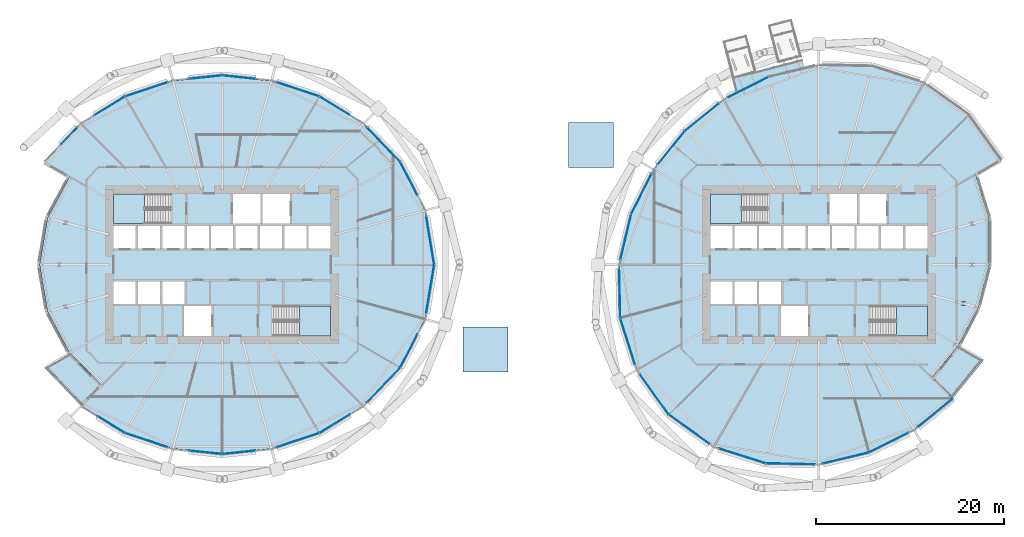
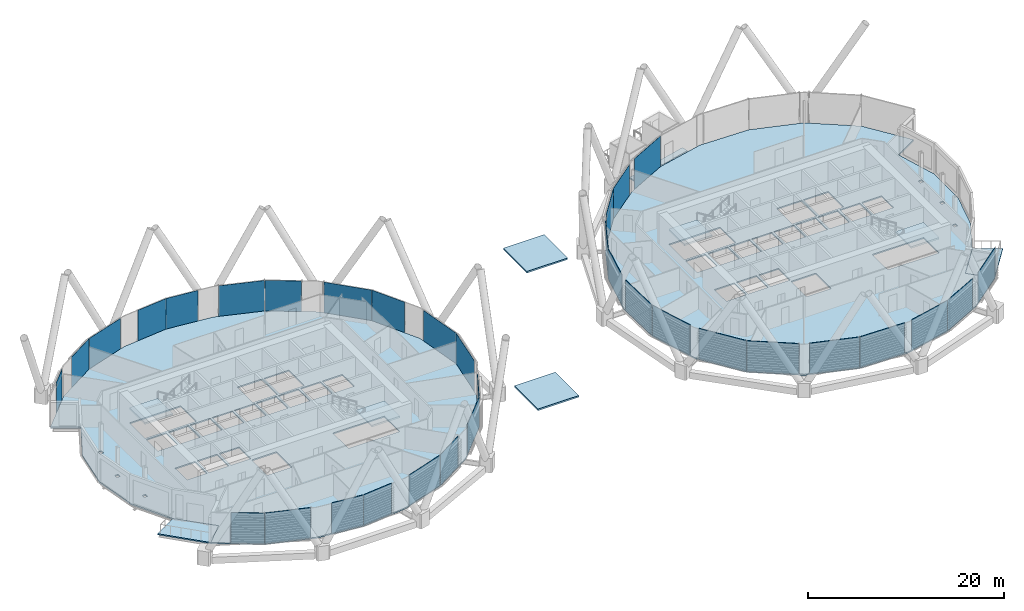
# One storey, part 20 of 34: 33 plates, 11 slabs, 6 elements without a shape of their own.
"""IFC4 building model written with IfcOpenShell, lengths in metres."""

from ifc_helpers import new_model, si_unit, direction, frame, origin, origin_2d, place, context, subcontext, project, spatial, polyline, rectangle, outline, extrude, material, layer, layer_set, type_object, element, aggregate, save


model = new_model("IFC4")

# Units and contexts
model_context = context("Model", 3, precision=1e-05, world=origin(), true_north=direction((0.0, 1.0)))
body_context = subcontext(model_context, "Body", "Model", "MODEL_VIEW")
ifc_project = project(units=[si_unit("LENGTHUNIT", "METRE"), si_unit("AREAUNIT", "SQUARE_METRE"), si_unit("VOLUMEUNIT", "CUBIC_METRE"), si_unit("PLANEANGLEUNIT", "RADIAN"), si_unit("MASSUNIT", "GRAM", prefix="KILO")], contexts=[model_context])

# Site, building, storey
site_placement = place(None, origin())
site = spatial("IfcSite", under=ifc_project, at=site_placement, CompositionType="ELEMENT")
building_placement = place(site_placement, origin())
building = spatial("IfcBuilding", under=site, at=building_placement, Name="Rimbun Link Towers", CompositionType="ELEMENT")
storey_placement = place(building_placement, frame((0.0, 0.0, 41.39990234375)))
storey = spatial("IfcBuildingStorey", under=building, at=storey_placement, Name="L09", CompositionType="ELEMENT", Elevation=41.39990234375)

# Slabs
ifc_material_1 = material(Name="Insulated metal floor panel on steel frame", Category="steel")
ifc_layer_1 = layer(ifc_material_1, 0.159912109375)
ifc_layer_set_1 = layer_set([ifc_layer_1], Name="CAPSULE balcony panel 160")
slab_type_1 = type_object("IfcSlabType", Name="CAPSULE balcony panel 160", PredefinedType="FLOOR", material=ifc_layer_set_1)
slab_1_placement = place(storey_placement, frame((0.0, 0.0, -0.159912109375)))
element("IfcSlab", 1, at=slab_1_placement, inside=storey, type_object=slab_type_1, Name="CAPSULE D092 gallery floor", PredefinedType="FLOOR", context=body_context, shape_type="SweptSolid", body=[
    extrude(outline(polyline([(28.158447265625, 20.527099609375), (30.16650390625, 21.00732421875), (29.969482421875, 21.760009765625), (22.634765625, 19.839111328125), (23.007568359375, 18.415771484375), (26.351806640625, 20.094970703125), (26.758056640625, 20.192138671875), (26.769775390625, 20.1435546875), (28.170166015625, 20.478515625), (28.158447265625, 20.527099609375)])), origin(), (0.0, 0.0, 1.0), 0.159912109375),
])
ifc_material_2 = material(Name="Concrete C35/45", Category="concrete")
ifc_layer_2 = layer(ifc_material_2, 0.159912109375)
ifc_layer_set_2 = layer_set([ifc_layer_2], Name="COMPOSITE FLOOR 160")
slab_type_2 = type_object("IfcSlabType", Name="COMPOSITE FLOOR 160", PredefinedType="FLOOR", material=ifc_layer_set_2)
slab_2_placement = place(storey_placement, frame((0.0, 0.0, -0.159912109375)))
element("IfcSlab", 2, at=slab_2_placement, inside=storey, type_object=slab_type_2, Name="Floor slab T1 L09", PredefinedType="FLOOR", context=body_context, shape_type="SweptSolid", body=[
    extrude(outline(polyline([(-46.76318359375, 15.01318359375), (-42.07861328125, 17.8896484375), (-36.994873046875, 19.57421875), (-31.75, 20.126708984375), (-26.505126953125, 19.57421875), (-21.42138671875, 17.8896484375), (-16.73681640625, 15.01318359375), (-12.82080078125, 10.9287109375), (-10.159423828125, 5.78515625), (-9.208251953125, 0.0), (-10.159423828125, -5.78515625), (-12.82080078125, -10.9287109375), (-16.73681640625, -15.01318359375), (-21.42138671875, -17.8896484375), (-26.505126953125, -19.57421875), (-31.75, -20.126708984375), (-36.994873046875, -19.57421875), (-42.07861328125, -17.8896484375), (-46.76318359375, -15.01318359375), (-44.5712890625, -12.8212890625), (-47.994384765625, -9.378662109375), (-50.34619140625, -4.98291015625), (-51.19189453125, 0.0), (-50.34619140625, 4.98291015625), (-47.994384765625, 9.378662109375), (-50.67919921875, 10.9287109375), (-46.76318359375, 15.01318359375)]), holes=[polyline([(-48.23876953125, -4.66845703125), (-48.23876953125, -4.27490234375), (-48.6376953125, -4.27490234375), (-48.6376953125, -4.66845703125), (-48.23876953125, -4.66845703125)]), polyline([(-40.95556640625, -4.14990234375), (-40.95556640625, -1.75), (-43.300048828125, -1.75), (-43.300048828125, -4.14990234375), (-40.95556640625, -4.14990234375)]), polyline([(-38.361083984375, -4.14990234375), (-38.361083984375, -1.75), (-40.70556640625, -1.75), (-40.70556640625, -4.14990234375), (-38.361083984375, -4.14990234375)]), polyline([(-38.111083984375, -4.14990234375), (-35.7666015625, -4.14990234375), (-35.7666015625, -1.75), (-38.111083984375, -1.75), (-38.111083984375, -4.14990234375)]), polyline([(-49.288330078125, -0.19677734375), (-48.889404296875, -0.19677734375), (-48.889404296875, 0.19677734375), (-49.288330078125, 0.19677734375), (-49.288330078125, -0.19677734375)]), polyline([(-40.95556640625, 1.75), (-40.95556640625, 4.14990234375), (-43.300048828125, 4.14990234375), (-43.300048828125, 1.75), (-40.95556640625, 1.75)]), polyline([(-38.361083984375, 1.75), (-38.361083984375, 4.14990234375), (-40.70556640625, 4.14990234375), (-40.70556640625, 1.75), (-38.361083984375, 1.75)]), polyline([(-35.7666015625, 1.75), (-35.7666015625, 4.14990234375), (-38.111083984375, 4.14990234375), (-38.111083984375, 1.75), (-35.7666015625, 1.75)]), polyline([(-48.6376953125, 4.27490234375), (-48.23876953125, 4.27490234375), (-48.23876953125, 4.66845703125), (-48.6376953125, 4.66845703125), (-48.6376953125, 4.27490234375)]), polyline([(-43.300048828125, 4.39990234375), (-37.260009765625, 4.39990234375), (-37.260009765625, 7.550048828125), (-43.300048828125, 7.550048828125), (-43.300048828125, 4.39990234375)]), polyline([(-32.89990234375, -7.550048828125), (-32.89990234375, -4.39990234375), (-35.800048828125, -4.39990234375), (-35.800048828125, -7.550048828125), (-32.89990234375, -7.550048828125)]), polyline([(-20.199951171875, -7.550048828125), (-20.199951171875, -4.39990234375), (-26.239990234375, -4.39990234375), (-26.239990234375, -7.550048828125), (-20.199951171875, -7.550048828125)]), polyline([(-33.172119140625, 1.75), (-33.172119140625, 4.14990234375), (-35.5166015625, 4.14990234375), (-35.5166015625, 1.75), (-33.172119140625, 1.75)]), polyline([(-32.922119140625, 1.75), (-30.577880859375, 1.75), (-30.577880859375, 4.14990234375), (-32.922119140625, 4.14990234375), (-32.922119140625, 1.75)]), polyline([(-30.327880859375, 1.75), (-27.9833984375, 1.75), (-27.9833984375, 4.14990234375), (-30.327880859375, 4.14990234375), (-30.327880859375, 1.75)]), polyline([(-25.388916015625, 1.75), (-25.388916015625, 4.14990234375), (-27.7333984375, 4.14990234375), (-27.7333984375, 1.75), (-25.388916015625, 1.75)]), polyline([(-22.79443359375, 1.75), (-22.79443359375, 4.14990234375), (-25.138916015625, 4.14990234375), (-25.138916015625, 1.75), (-22.79443359375, 1.75)]), polyline([(-20.199951171875, 1.75), (-20.199951171875, 4.14990234375), (-22.54443359375, 4.14990234375), (-22.54443359375, 1.75), (-20.199951171875, 1.75)]), polyline([(-30.60009765625, 4.39990234375), (-27.699951171875, 4.39990234375), (-27.699951171875, 7.550048828125), (-30.60009765625, 7.550048828125), (-30.60009765625, 4.39990234375)]), polyline([(-27.449951171875, 4.39990234375), (-24.550048828125, 4.39990234375), (-24.550048828125, 7.550048828125), (-27.449951171875, 7.550048828125), (-27.449951171875, 4.39990234375)])]), origin(), (0.0, 0.0, 1.0), 0.159912109375),
])
slab_3_placement = place(storey_placement, frame((0.0, 0.0, -0.159912109375)))
element("IfcSlab", 3, at=slab_3_placement, inside=storey, type_object=slab_type_2, Name="Floor slab T2 L09", PredefinedType="FLOOR", context=body_context, shape_type="SweptSolid", body=[
    extrude(outline(polyline([(41.88232421875, -17.5498046875), (37.096435546875, -19.953125), (31.75, -21.23193359375), (26.093017578125, -21.11279296875), (20.573974609375, -19.357421875), (15.810546875, -15.939453125), (12.392578125, -11.176025390625), (10.63720703125, -5.656982421875), (10.51806640625, 0.0), (11.796875, 5.346435546875), (14.2001953125, 10.13232421875), (17.518310546875, 14.231689453125), (21.61767578125, 17.5498046875), (26.403564453125, 19.953125), (31.75, 21.23193359375), (37.406982421875, 21.11279296875), (42.926025390625, 19.357421875), (47.689453125, 15.939453125), (51.107421875, 11.176025390625), (48.4228515625, 9.626220703125), (49.868408203125, 4.854736328125), (49.8818359375, 0.0), (48.708740234375, -4.544189453125), (46.614990234375, -8.58251953125), (43.78955078125, -12.03955078125), (45.981689453125, -14.231689453125), (41.88232421875, -17.5498046875)]), holes=[polyline([(30.60009765625, -7.550048828125), (30.60009765625, -4.39990234375), (27.699951171875, -4.39990234375), (27.699951171875, -7.550048828125), (30.60009765625, -7.550048828125)]), polyline([(22.54443359375, -4.14990234375), (22.54443359375, -1.75), (20.199951171875, -1.75), (20.199951171875, -4.14990234375), (22.54443359375, -4.14990234375)]), polyline([(25.138916015625, -4.14990234375), (25.138916015625, -1.75), (22.79443359375, -1.75), (22.79443359375, -4.14990234375), (25.138916015625, -4.14990234375)]), polyline([(25.388916015625, -4.14990234375), (27.7333984375, -4.14990234375), (27.7333984375, -1.75), (25.388916015625, -1.75), (25.388916015625, -4.14990234375)]), polyline([(20.199951171875, 1.75), (22.54443359375, 1.75), (22.54443359375, 4.14990234375), (20.199951171875, 4.14990234375), (20.199951171875, 1.75)]), polyline([(25.138916015625, 1.75), (25.138916015625, 4.14990234375), (22.79443359375, 4.14990234375), (22.79443359375, 1.75), (25.138916015625, 1.75)]), polyline([(27.7333984375, 1.75), (27.7333984375, 4.14990234375), (25.388916015625, 4.14990234375), (25.388916015625, 1.75), (27.7333984375, 1.75)]), polyline([(30.327880859375, 1.75), (30.327880859375, 4.14990234375), (27.9833984375, 4.14990234375), (27.9833984375, 1.75), (30.327880859375, 1.75)]), polyline([(30.577880859375, 1.75), (32.922119140625, 1.75), (32.922119140625, 4.14990234375), (30.577880859375, 4.14990234375), (30.577880859375, 1.75)]), polyline([(20.199951171875, 4.39990234375), (26.239990234375, 4.39990234375), (26.239990234375, 7.550048828125), (20.199951171875, 7.550048828125), (20.199951171875, 4.39990234375)]), polyline([(43.300048828125, -7.550048828125), (43.300048828125, -4.39990234375), (37.260009765625, -4.39990234375), (37.260009765625, -7.550048828125), (43.300048828125, -7.550048828125)]), polyline([(47.328125, -4.3173828125), (47.328125, -3.923828125), (46.92919921875, -3.923828125), (46.92919921875, -4.3173828125), (47.328125, -4.3173828125)]), polyline([(48.236083984375, -0.19677734375), (48.236083984375, 0.19677734375), (47.837158203125, 0.19677734375), (47.837158203125, -0.19677734375), (48.236083984375, -0.19677734375)]), polyline([(33.172119140625, 1.75), (35.5166015625, 1.75), (35.5166015625, 4.14990234375), (33.172119140625, 4.14990234375), (33.172119140625, 1.75)]), polyline([(35.7666015625, 1.75), (38.111083984375, 1.75), (38.111083984375, 4.14990234375), (35.7666015625, 4.14990234375), (35.7666015625, 1.75)]), polyline([(40.70556640625, 1.75), (40.70556640625, 4.14990234375), (38.361083984375, 4.14990234375), (38.361083984375, 1.75), (40.70556640625, 1.75)]), polyline([(43.300048828125, 1.75), (43.300048828125, 4.14990234375), (40.95556640625, 4.14990234375), (40.95556640625, 1.75), (43.300048828125, 1.75)]), polyline([(48.253662109375, 4.171875), (48.253662109375, 4.5654296875), (47.854736328125, 4.5654296875), (47.854736328125, 4.171875), (48.253662109375, 4.171875)]), polyline([(32.89990234375, 4.39990234375), (35.800048828125, 4.39990234375), (35.800048828125, 7.550048828125), (32.89990234375, 7.550048828125), (32.89990234375, 4.39990234375)]), polyline([(36.050048828125, 4.39990234375), (38.949951171875, 4.39990234375), (38.949951171875, 7.550048828125), (36.050048828125, 7.550048828125), (36.050048828125, 4.39990234375)])]), origin(), (0.0, 0.0, 1.0), 0.159912109375),
])

# Curtain wall, plates
ifc_material_3 = material(Name="Aluminium 6063-T6 and low-iron glass", Category="aluminium")
curtain_wall_type = type_object("IfcCurtainWallType", Name="CW1 unitised vision wall", PredefinedType="NOTDEFINED", material=ifc_material_3)
curtain_wall_1_placement = place(storey_placement, origin())
curtain_wall_1 = element("IfcCurtainWall", 4, at=curtain_wall_1_placement, inside=storey, type_object=curtain_wall_type, Name="CW1 L09 T1", PredefinedType="NOTDEFINED")
ifc_material_4 = material(Name="Low-iron glass, laminated low-e unit", Category="glass")
ifc_layer_3 = layer(ifc_material_4, 0.028076171875)
ifc_layer_set_3 = layer_set([ifc_layer_3], Name="CW1 panel Low-iron glass 28")
plate_type = type_object("IfcPlateType", Name="CW1 panel Low-iron glass 28", PredefinedType="CURTAIN_PANEL", material=ifc_layer_set_3)
plate_1_placement = place(storey_placement, frame((-9.621337890625, 2.598876953125, 0.0), z_axis=(0.0, 0.0, 1.0), x_axis=(0.162257788061, -0.986748402691, 0.0)))
plate_1 = element("IfcPlate", 5, at=plate_1_placement, type_object=plate_type, Name="CW1 panel", PredefinedType="CURTAIN_PANEL", context=body_context, shape_type="SweptSolid", body=[
    extrude(rectangle(XDim=5.222900390625, YDim=0.028076171875, at=origin_2d()), origin(), (0.0, 0.0, 1.0), 3.800048828125),
])
plate_2_placement = place(storey_placement, frame((-11.891357421875, 9.16259765625, 0.0), z_axis=(0.0, 0.0, 1.0), x_axis=(0.459554913934, -0.888149357416, 0.0)))
plate_2 = element("IfcPlate", 6, at=plate_2_placement, type_object=plate_type, Name="CW1 panel", PredefinedType="CURTAIN_PANEL", context=body_context, shape_type="SweptSolid", body=[
    extrude(rectangle(XDim=3.951171875, YDim=0.028076171875, at=origin_2d()), origin(), (0.0, 0.0, 1.0), 3.800048828125),
])
plate_3_placement = place(storey_placement, frame((-14.578369140625, 12.7822265625, 0.0), z_axis=(0.0, 0.0, 1.0), x_axis=(0.692051593976, -0.721848038908, 0.0)))
plate_3 = element("IfcPlate", 7, at=plate_3_placement, type_object=plate_type, Name="CW1 panel", PredefinedType="CURTAIN_PANEL", context=body_context, shape_type="SweptSolid", body=[
    extrude(rectangle(XDim=5.068359375, YDim=0.028076171875, at=origin_2d()), origin(), (0.0, 0.0, 1.0), 3.800048828125),
])
plate_4_placement = place(storey_placement, frame((-19.796142578125, 16.908203125, 0.0), z_axis=(0.0, 0.0, 1.0), x_axis=(0.852185029135, -0.523240552823, 0.0)))
plate_4 = element("IfcPlate", 8, at=plate_4_placement, type_object=plate_type, Name="CW1 panel", PredefinedType="CURTAIN_PANEL", context=body_context, shape_type="SweptSolid", body=[
    extrude(rectangle(XDim=3.75732421875, YDim=0.028076171875, at=origin_2d()), origin(), (0.0, 0.0, 1.0), 3.800048828125),
])
plate_5_placement = place(storey_placement, frame((-23.69775390625, 18.65869140625, 0.0), z_axis=(0.0, 0.0, 1.0), x_axis=(0.949238271648, -0.314557949572, 0.0)))
plate_5 = element("IfcPlate", 9, at=plate_5_placement, type_object=plate_type, Name="CW1 panel", PredefinedType="CURTAIN_PANEL", context=body_context, shape_type="SweptSolid", body=[
    extrude(rectangle(XDim=4.765380859375, YDim=0.028076171875, at=origin_2d()), origin(), (0.0, 0.0, 1.0), 3.800048828125),
])
plate_6_placement = place(storey_placement, frame((-29.971435546875, 19.953369140625, 0.0), z_axis=(0.0, 0.0, 1.0), x_axis=(0.994499425228, -0.104742031783, 0.0)))
plate_6 = element("IfcPlate", 10, at=plate_6_placement, type_object=plate_type, Name="CW1 panel", PredefinedType="CURTAIN_PANEL", context=body_context, shape_type="SweptSolid", body=[
    extrude(rectangle(XDim=3.533935546875, YDim=0.028076171875, at=origin_2d()), origin(), (0.0, 0.0, 1.0), 3.800048828125),
])
plate_7_placement = place(storey_placement, frame((-33.528564453125, 19.953369140625, 0.0), z_axis=(0.0, 0.0, 1.0), x_axis=(0.994499425228, 0.104742031783, 0.0)))
plate_7 = element("IfcPlate", 11, at=plate_7_placement, type_object=plate_type, Name="CW1 panel", PredefinedType="CURTAIN_PANEL", context=body_context, shape_type="SweptSolid", body=[
    extrude(rectangle(XDim=3.533935546875, YDim=0.028076171875, at=origin_2d()), origin(), (0.0, 0.0, 1.0), 3.800048828125),
])
plate_8_placement = place(storey_placement, frame((-39.80224609375, 18.65869140625, 0.0), z_axis=(0.0, 0.0, 1.0), x_axis=(0.949238271648, 0.314557949572, 0.0)))
plate_8 = element("IfcPlate", 12, at=plate_8_placement, type_object=plate_type, Name="CW1 panel", PredefinedType="CURTAIN_PANEL", context=body_context, shape_type="SweptSolid", body=[
    extrude(rectangle(XDim=4.765380859375, YDim=0.028076171875, at=origin_2d()), origin(), (0.0, 0.0, 1.0), 3.800048828125),
])
plate_9_placement = place(storey_placement, frame((-43.703857421875, 16.908203125, 0.0), z_axis=(0.0, 0.0, 1.0), x_axis=(0.852185029135, 0.523240552823, 0.0)))
plate_9 = element("IfcPlate", 13, at=plate_9_placement, type_object=plate_type, Name="CW1 panel", PredefinedType="CURTAIN_PANEL", context=body_context, shape_type="SweptSolid", body=[
    extrude(rectangle(XDim=3.75732421875, YDim=0.028076171875, at=origin_2d()), origin(), (0.0, 0.0, 1.0), 3.800048828125),
])
plate_10_placement = place(storey_placement, frame((-48.039306640625, 13.702392578125, 0.0), z_axis=(0.0, 0.0, 1.0), x_axis=(0.692051593976, 0.721848038908, 0.0)))
plate_10 = element("IfcPlate", 14, at=plate_10_placement, type_object=plate_type, Name="CW1 panel", PredefinedType="CURTAIN_PANEL", context=body_context, shape_type="SweptSolid", body=[
    extrude(rectangle(XDim=2.518310546875, YDim=0.028076171875, at=origin_2d()), origin(), (0.0, 0.0, 1.0), 3.800048828125),
])
plate_11_placement = place(storey_placement, frame((-43.5546875, -16.999755859375, 0.0), z_axis=(0.0, 0.0, 1.0), x_axis=(-0.852185029135, 0.523240552823, 0.0)))
plate_11 = element("IfcPlate", 15, at=plate_11_placement, type_object=plate_type, Name="CW1 panel", PredefinedType="CURTAIN_PANEL", context=body_context, shape_type="SweptSolid", body=[
    extrude(rectangle(XDim=3.4072265625, YDim=0.028076171875, at=origin_2d()), origin(), (0.0, 0.0, 1.0), 3.800048828125),
])
plate_12_placement = place(storey_placement, frame((-39.80224609375, -18.65869140625, 0.0), z_axis=(0.0, 0.0, 1.0), x_axis=(-0.949238271648, 0.314557949572, 0.0)))
plate_12 = element("IfcPlate", 16, at=plate_12_placement, type_object=plate_type, Name="CW1 panel", PredefinedType="CURTAIN_PANEL", context=body_context, shape_type="SweptSolid", body=[
    extrude(rectangle(XDim=4.765380859375, YDim=0.028076171875, at=origin_2d()), origin(), (0.0, 0.0, 1.0), 3.800048828125),
])
plate_13_placement = place(storey_placement, frame((-33.528564453125, -19.953369140625, 0.0), z_axis=(0.0, 0.0, 1.0), x_axis=(-0.994499425228, 0.104742031783, 0.0)))
plate_13 = element("IfcPlate", 17, at=plate_13_placement, type_object=plate_type, Name="CW1 panel", PredefinedType="CURTAIN_PANEL", context=body_context, shape_type="SweptSolid", body=[
    extrude(rectangle(XDim=3.533935546875, YDim=0.028076171875, at=origin_2d()), origin(), (0.0, 0.0, 1.0), 3.800048828125),
])
plate_14_placement = place(storey_placement, frame((-29.971435546875, -19.953369140625, 0.0), z_axis=(0.0, 0.0, 1.0), x_axis=(-0.994499425228, -0.104742031783, 0.0)))
plate_14 = element("IfcPlate", 18, at=plate_14_placement, type_object=plate_type, Name="CW1 panel", PredefinedType="CURTAIN_PANEL", context=body_context, shape_type="SweptSolid", body=[
    extrude(rectangle(XDim=3.533935546875, YDim=0.028076171875, at=origin_2d()), origin(), (0.0, 0.0, 1.0), 3.800048828125),
])
plate_15_placement = place(storey_placement, frame((-23.69775390625, -18.65869140625, 0.0), z_axis=(0.0, 0.0, 1.0), x_axis=(-0.949238271648, -0.314557949572, 0.0)))
plate_15 = element("IfcPlate", 19, at=plate_15_placement, type_object=plate_type, Name="CW1 panel", PredefinedType="CURTAIN_PANEL", context=body_context, shape_type="SweptSolid", body=[
    extrude(rectangle(XDim=4.765380859375, YDim=0.028076171875, at=origin_2d()), origin(), (0.0, 0.0, 1.0), 3.800048828125),
])
plate_16_placement = place(storey_placement, frame((-19.796142578125, -16.908203125, 0.0), z_axis=(0.0, 0.0, 1.0), x_axis=(-0.852185029135, -0.523240552823, 0.0)))
plate_16 = element("IfcPlate", 20, at=plate_16_placement, type_object=plate_type, Name="CW1 panel", PredefinedType="CURTAIN_PANEL", context=body_context, shape_type="SweptSolid", body=[
    extrude(rectangle(XDim=3.75732421875, YDim=0.028076171875, at=origin_2d()), origin(), (0.0, 0.0, 1.0), 3.800048828125),
])
plate_17_placement = place(storey_placement, frame((-14.578369140625, -12.7822265625, 0.0), z_axis=(0.0, 0.0, 1.0), x_axis=(-0.692051593976, -0.721848038908, 0.0)))
plate_17 = element("IfcPlate", 21, at=plate_17_placement, type_object=plate_type, Name="CW1 panel", PredefinedType="CURTAIN_PANEL", context=body_context, shape_type="SweptSolid", body=[
    extrude(rectangle(XDim=5.068359375, YDim=0.028076171875, at=origin_2d()), origin(), (0.0, 0.0, 1.0), 3.800048828125),
])
plate_18_placement = place(storey_placement, frame((-11.891357421875, -9.16259765625, 0.0), z_axis=(0.0, 0.0, 1.0), x_axis=(-0.459554913934, -0.888149357416, 0.0)))
plate_18 = element("IfcPlate", 22, at=plate_18_placement, type_object=plate_type, Name="CW1 panel", PredefinedType="CURTAIN_PANEL", context=body_context, shape_type="SweptSolid", body=[
    extrude(rectangle(XDim=3.951171875, YDim=0.028076171875, at=origin_2d()), origin(), (0.0, 0.0, 1.0), 3.800048828125),
])
plate_19_placement = place(storey_placement, frame((-9.621337890625, -2.598876953125, 0.0), z_axis=(0.0, 0.0, 1.0), x_axis=(-0.162257788061, -0.986748402691, 0.0)))
plate_19 = element("IfcPlate", 23, at=plate_19_placement, type_object=plate_type, Name="CW1 panel", PredefinedType="CURTAIN_PANEL", context=body_context, shape_type="SweptSolid", body=[
    extrude(rectangle(XDim=5.222900390625, YDim=0.028076171875, at=origin_2d()), origin(), (0.0, 0.0, 1.0), 3.800048828125),
])
aggregate(curtain_wall_1, [plate_1, plate_2, plate_3, plate_4, plate_5, plate_6, plate_7, plate_8, plate_9, plate_10, plate_11, plate_12, plate_13, plate_14, plate_15, plate_16, plate_17, plate_18, plate_19])

curtain_wall_2_placement = place(storey_placement, origin())
curtain_wall_2 = element("IfcCurtainWall", 24, at=curtain_wall_2_placement, inside=storey, type_object=curtain_wall_type, Name="CW1 L09 T2", PredefinedType="NOTDEFINED")
plate_20_placement = place(storey_placement, frame((24.205322265625, 18.864990234375, 0.0), z_axis=(0.0, 0.0, 1.0), x_axis=(0.893649080423, 0.448766443776, 0.0)))
plate_20 = element("IfcPlate", 25, at=plate_20_placement, type_object=plate_type, Name="CW1 panel", PredefinedType="CURTAIN_PANEL", context=body_context, shape_type="SweptSolid", body=[
    extrude(rectangle(XDim=4.865478515625, YDim=0.028076171875, at=origin_2d()), origin(), (0.0, 0.0, 1.0), 3.800048828125),
])
plate_21_placement = place(storey_placement, frame((19.325927734375, 15.712890625, 0.0), z_axis=(0.0, 0.0, 1.0), x_axis=(0.777280194631, 0.629154590729, 0.0)))
plate_21 = element("IfcPlate", 26, at=plate_21_placement, type_object=plate_type, Name="CW1 panel", PredefinedType="CURTAIN_PANEL", context=body_context, shape_type="SweptSolid", body=[
    extrude(rectangle(XDim=4.6337890625, YDim=0.028076171875, at=origin_2d()), origin(), (0.0, 0.0, 1.0), 3.800048828125),
])
plate_22_placement = place(storey_placement, frame((16.052734375, 12.443359375, 0.0), z_axis=(0.0, 0.0, 1.0), x_axis=(0.629154590729, 0.777280194631, 0.0)))
plate_22 = element("IfcPlate", 27, at=plate_22_placement, type_object=plate_type, Name="CW1 panel", PredefinedType="CURTAIN_PANEL", context=body_context, shape_type="SweptSolid", body=[
    extrude(rectangle(XDim=4.583984375, YDim=0.028076171875, at=origin_2d()), origin(), (0.0, 0.0, 1.0), 3.800048828125),
])
plate_23_placement = place(storey_placement, frame((12.885009765625, 7.544677734375, 0.0), z_axis=(0.0, 0.0, 1.0), x_axis=(0.448766443776, 0.893649080423, 0.0)))
plate_23 = element("IfcPlate", 28, at=plate_23_placement, type_object=plate_type, Name="CW1 panel", PredefinedType="CURTAIN_PANEL", context=body_context, shape_type="SweptSolid", body=[
    extrude(rectangle(XDim=4.865478515625, YDim=0.028076171875, at=origin_2d()), origin(), (0.0, 0.0, 1.0), 3.800048828125),
])
plate_24_placement = place(storey_placement, frame((11.201904296875, 2.919677734375, 0.0), z_axis=(0.0, 0.0, 1.0), x_axis=(0.232609871785, 0.972570124746, 0.0)))
plate_24 = element("IfcPlate", 29, at=plate_24_placement, type_object=plate_type, Name="CW1 panel", PredefinedType="CURTAIN_PANEL", context=body_context, shape_type="SweptSolid", body=[
    extrude(rectangle(XDim=4.957275390625, YDim=0.028076171875, at=origin_2d()), origin(), (0.0, 0.0, 1.0), 3.800048828125),
])
plate_25_placement = place(storey_placement, frame((10.56787109375, -3.02880859375, 0.0), z_axis=(0.0, 0.0, 1.0), x_axis=(-0.021066190713, 0.999778083181, 0.0)))
plate_25 = element("IfcPlate", 30, at=plate_25_placement, type_object=plate_type, Name="CW1 panel", PredefinedType="CURTAIN_PANEL", context=body_context, shape_type="SweptSolid", body=[
    extrude(rectangle(XDim=5.21826171875, YDim=0.028076171875, at=origin_2d()), origin(), (0.0, 0.0, 1.0), 3.800048828125),
])
plate_26_placement = place(storey_placement, frame((11.418212890625, -8.15869140625, 0.0), z_axis=(0.0, 0.0, 1.0), x_axis=(-0.303071090127, 0.952967950316, 0.0)))
plate_26 = element("IfcPlate", 31, at=plate_26_placement, type_object=plate_type, Name="CW1 panel", PredefinedType="CURTAIN_PANEL", context=body_context, shape_type="SweptSolid", body=[
    extrude(rectangle(XDim=5.201416015625, YDim=0.028076171875, at=origin_2d()), origin(), (0.0, 0.0, 1.0), 3.800048828125),
])
plate_27_placement = place(storey_placement, frame((14.23583984375, -13.76904296875, 0.0), z_axis=(0.0, 0.0, 1.0), x_axis=(-0.582995512796, 0.812475373202, 0.0)))
plate_27 = element("IfcPlate", 32, at=plate_27_placement, type_object=plate_type, Name="CW1 panel", PredefinedType="CURTAIN_PANEL", context=body_context, shape_type="SweptSolid", body=[
    extrude(rectangle(XDim=5.32275390625, YDim=0.028076171875, at=origin_2d()), origin(), (0.0, 0.0, 1.0), 3.800048828125),
])
plate_28_placement = place(storey_placement, frame((17.98095703125, -17.51416015625, 0.0), z_axis=(0.0, 0.0, 1.0), x_axis=(-0.812475373202, 0.582995512796, 0.0)))
plate_28 = element("IfcPlate", 33, at=plate_28_placement, type_object=plate_type, Name="CW1 panel", PredefinedType="CURTAIN_PANEL", context=body_context, shape_type="SweptSolid", body=[
    extrude(rectangle(XDim=5.32275390625, YDim=0.028076171875, at=origin_2d()), origin(), (0.0, 0.0, 1.0), 3.800048828125),
])
plate_29_placement = place(storey_placement, frame((23.59130859375, -20.331787109375, 0.0), z_axis=(0.0, 0.0, 1.0), x_axis=(-0.952967950316, 0.303071090127, 0.0)))
plate_29 = element("IfcPlate", 34, at=plate_29_placement, type_object=plate_type, Name="CW1 panel", PredefinedType="CURTAIN_PANEL", context=body_context, shape_type="SweptSolid", body=[
    extrude(rectangle(XDim=5.201416015625, YDim=0.028076171875, at=origin_2d()), origin(), (0.0, 0.0, 1.0), 3.800048828125),
])
plate_30_placement = place(storey_placement, frame((28.72119140625, -21.18212890625, 0.0), z_axis=(0.0, 0.0, 1.0), x_axis=(-0.999778083181, 0.021066190713, 0.0)))
plate_30 = element("IfcPlate", 35, at=plate_30_placement, type_object=plate_type, Name="CW1 panel", PredefinedType="CURTAIN_PANEL", context=body_context, shape_type="SweptSolid", body=[
    extrude(rectangle(XDim=5.21826171875, YDim=0.028076171875, at=origin_2d()), origin(), (0.0, 0.0, 1.0), 3.800048828125),
])
plate_31_placement = place(storey_placement, frame((34.645263671875, -20.5537109375, 0.0), z_axis=(0.0, 0.0, 1.0), x_axis=(-0.972570124746, -0.232609871785, 0.0)))
plate_31 = element("IfcPlate", 36, at=plate_31_placement, type_object=plate_type, Name="CW1 panel", PredefinedType="CURTAIN_PANEL", context=body_context, shape_type="SweptSolid", body=[
    extrude(rectangle(XDim=5.007080078125, YDim=0.028076171875, at=origin_2d()), origin(), (0.0, 0.0, 1.0), 3.800048828125),
])
plate_32_placement = place(storey_placement, frame((39.182861328125, -18.921142578125, 0.0), z_axis=(0.0, 0.0, 1.0), x_axis=(-0.893649080423, -0.448766443776, 0.0)))
plate_32 = element("IfcPlate", 37, at=plate_32_placement, type_object=plate_type, Name="CW1 panel", PredefinedType="CURTAIN_PANEL", context=body_context, shape_type="SweptSolid", body=[
    extrude(rectangle(XDim=4.615478515625, YDim=0.028076171875, at=origin_2d()), origin(), (0.0, 0.0, 1.0), 3.800048828125),
])
plate_33_placement = place(storey_placement, frame((44.13525390625, -15.744384765625, 0.0), z_axis=(0.0, 0.0, 1.0), x_axis=(-0.777280194631, -0.629154590729, 0.0)))
plate_33 = element("IfcPlate", 38, at=plate_33_placement, type_object=plate_type, Name="CW1 panel", PredefinedType="CURTAIN_PANEL", context=body_context, shape_type="SweptSolid", body=[
    extrude(rectangle(XDim=4.73388671875, YDim=0.028076171875, at=origin_2d()), origin(), (0.0, 0.0, 1.0), 3.800048828125),
])
aggregate(curtain_wall_2, [plate_20, plate_21, plate_22, plate_23, plate_24, plate_25, plate_26, plate_27, plate_28, plate_29, plate_30, plate_31, plate_32, plate_33])

# Slabs
ifc_material_5 = material(Name="Concrete C40/50", Category="concrete")
ifc_layer_4 = layer(ifc_material_5, 0.199951171875)
ifc_layer_set_4 = layer_set([ifc_layer_4], Name="Service trunk roof slab 200")
slab_type_3 = type_object("IfcSlabType", Name="Service trunk roof slab 200", PredefinedType="ROOF", material=ifc_layer_set_4)
slab_4_placement = place(storey_placement, origin())
element("IfcSlab", 39, at=slab_4_placement, inside=storey, type_object=slab_type_3, Name="Service trunk 1 roof slab", PredefinedType="ROOF", context=body_context, shape_type="SweptSolid", body=[
    extrude(outline(polyline([(-6.14990234375, -11.39990234375), (-1.35009765625, -11.39990234375), (-1.35009765625, -6.60009765625), (-6.14990234375, -6.60009765625), (-6.14990234375, -11.39990234375)])), origin(), (0.0, 0.0, 1.0), 0.2001953125),
])
slab_5_placement = place(storey_placement, origin())
element("IfcSlab", 40, at=slab_5_placement, inside=storey, type_object=slab_type_3, Name="Service trunk 2 roof slab", PredefinedType="ROOF", context=body_context, shape_type="SweptSolid", body=[
    extrude(outline(polyline([(5.10009765625, 10.35009765625), (9.89990234375, 10.35009765625), (9.89990234375, 15.14990234375), (5.10009765625, 15.14990234375), (5.10009765625, 10.35009765625)])), origin(), (0.0, 0.0, 1.0), 0.2001953125),
])

# Stair, slab
ifc_material_6 = material(Name="Concrete C40/50", Category="concrete")
stair_type = type_object("IfcStairType", Name="Exit stair 3800 rise", PredefinedType="HALF_TURN_STAIR", material=ifc_material_6)
stair_1_placement = place(storey_placement, origin())
stair_1 = element("IfcStair", 41, at=stair_1_placement, inside=storey, type_object=stair_type, Name="L09 EXIT STAIR A", PredefinedType="HALF_TURN_STAIR")
ifc_material_7 = material(Name="Concrete C40/50", Category="concrete")
ifc_layer_5 = layer(ifc_material_7, 0.199951171875)
ifc_layer_set_5 = layer_set([ifc_layer_5], Name="Stair landing")
slab_type_4 = type_object("IfcSlabType", Name="Stair landing", PredefinedType="LANDING", material=ifc_layer_set_5)
slab_6_placement = place(storey_placement, frame((0.0, 0.0, 1.7001953125)))
slab_6 = element("IfcSlab", 42, at=slab_6_placement, type_object=slab_type_4, Name="ST1 landing 1", PredefinedType="LANDING", context=body_context, shape_type="SweptSolid", body=[
    extrude(outline(polyline([(-40.0, 7.550048828125), (-43.300048828125, 7.550048828125), (-43.300048828125, 4.39990234375), (-40.0, 4.39990234375), (-40.0, 7.550048828125)])), origin(), (0.0, 0.0, 1.0), 0.199951171875),
])
aggregate(stair_1, [slab_6])

stair_2_placement = place(storey_placement, origin())
stair_2 = element("IfcStair", 43, at=stair_2_placement, inside=storey, type_object=stair_type, Name="L09 EXIT STAIR B", PredefinedType="HALF_TURN_STAIR")
slab_7_placement = place(storey_placement, frame((0.0, 0.0, 1.7001953125)))
slab_7 = element("IfcSlab", 44, at=slab_7_placement, type_object=slab_type_4, Name="ST2 landing 1", PredefinedType="LANDING", context=body_context, shape_type="SweptSolid", body=[
    extrude(outline(polyline([(-23.5, -7.550048828125), (-20.199951171875, -7.550048828125), (-20.199951171875, -4.39990234375), (-23.5, -4.39990234375), (-23.5, -7.550048828125)])), origin(), (0.0, 0.0, 1.0), 0.199951171875),
])
aggregate(stair_2, [slab_7])

stair_3_placement = place(storey_placement, origin())
stair_3 = element("IfcStair", 45, at=stair_3_placement, inside=storey, type_object=stair_type, Name="L09 EXIT STAIR A", PredefinedType="HALF_TURN_STAIR")
slab_8_placement = place(storey_placement, frame((0.0, 0.0, 1.7001953125)))
slab_8 = element("IfcSlab", 46, at=slab_8_placement, type_object=slab_type_4, Name="ST3 landing 1", PredefinedType="LANDING", context=body_context, shape_type="SweptSolid", body=[
    extrude(outline(polyline([(23.5, 7.550048828125), (20.199951171875, 7.550048828125), (20.199951171875, 4.39990234375), (23.5, 4.39990234375), (23.5, 7.550048828125)])), origin(), (0.0, 0.0, 1.0), 0.199951171875),
])
aggregate(stair_3, [slab_8])

stair_4_placement = place(storey_placement, origin())
stair_4 = element("IfcStair", 47, at=stair_4_placement, inside=storey, type_object=stair_type, Name="L09 EXIT STAIR B", PredefinedType="HALF_TURN_STAIR")
slab_9_placement = place(storey_placement, frame((0.0, 0.0, 1.7001953125)))
slab_9 = element("IfcSlab", 48, at=slab_9_placement, type_object=slab_type_4, Name="ST4 landing 1", PredefinedType="LANDING", context=body_context, shape_type="SweptSolid", body=[
    extrude(outline(polyline([(40.0, -7.550048828125), (43.300048828125, -7.550048828125), (43.300048828125, -4.39990234375), (40.0, -4.39990234375), (40.0, -7.550048828125)])), origin(), (0.0, 0.0, 1.0), 0.199951171875),
])
aggregate(stair_4, [slab_9])

# Slabs
ifc_material_8 = material(Name="Concrete C35/45", Category="concrete")
ifc_layer_6 = layer(ifc_material_8, 0.159912109375)
ifc_layer_set_6 = layer_set([ifc_layer_6], Name="TERRACE SLAB 160")
slab_type_5 = type_object("IfcSlabType", Name="TERRACE SLAB 160", PredefinedType="FLOOR", material=ifc_layer_set_6)
slab_10_placement = place(storey_placement, frame((0.0, 0.0, -0.159912109375)))
element("IfcSlab", 49, at=slab_10_placement, inside=storey, type_object=slab_type_5, Name="Terrace slab T1 L09", PredefinedType="FLOOR", context=body_context, shape_type="SweptSolid", body=[
    extrude(outline(polyline([(-47.994384765625, -9.378662109375), (-44.5712890625, -12.8212890625), (-46.76318359375, -15.01318359375), (-50.67919921875, -10.9287109375), (-47.994384765625, -9.378662109375)])), origin(), (0.0, 0.0, 1.0), 0.159912109375),
])
slab_11_placement = place(storey_placement, frame((0.0, 0.0, -0.159912109375)))
element("IfcSlab", 50, at=slab_11_placement, inside=storey, type_object=slab_type_5, Name="Terrace slab T2 L09", PredefinedType="FLOOR", context=body_context, shape_type="SweptSolid", body=[
    extrude(outline(polyline([(43.78955078125, -12.03955078125), (46.614990234375, -8.58251953125), (49.2998046875, -10.13232421875), (45.981689453125, -14.231689453125), (43.78955078125, -12.03955078125)])), origin(), (0.0, 0.0, 1.0), 0.159912109375),
])

save(model, "model.ifc")
